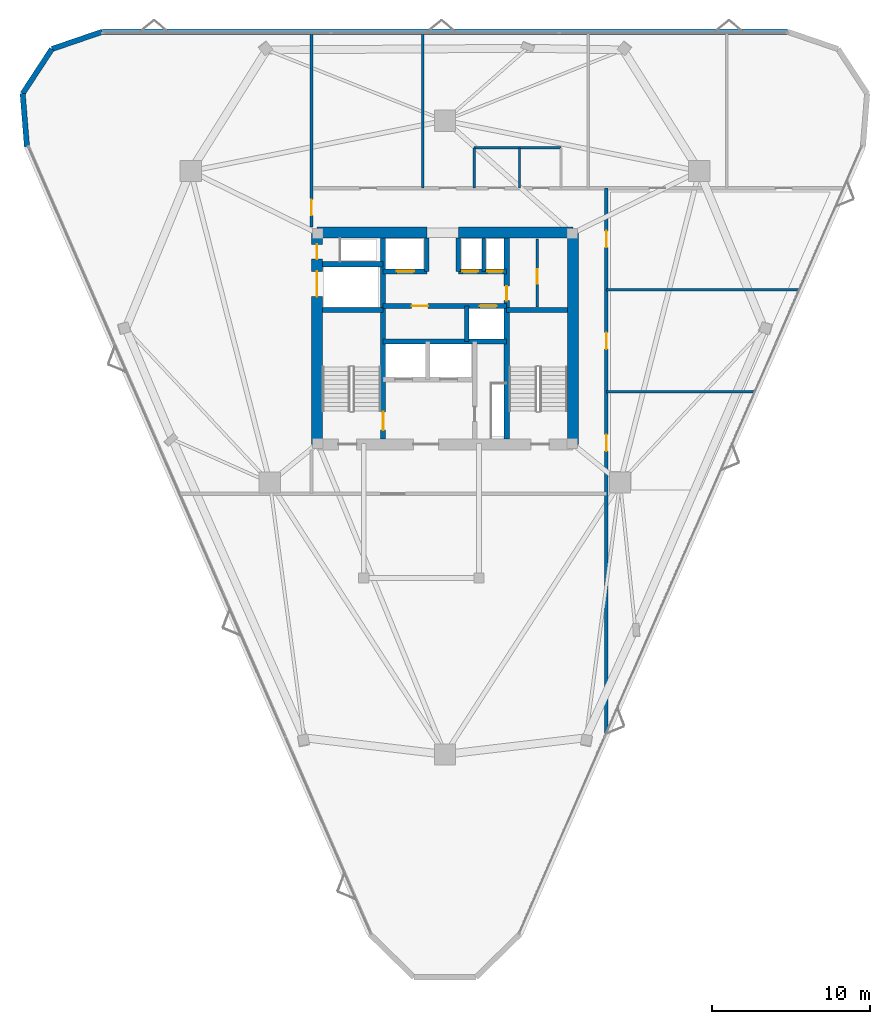
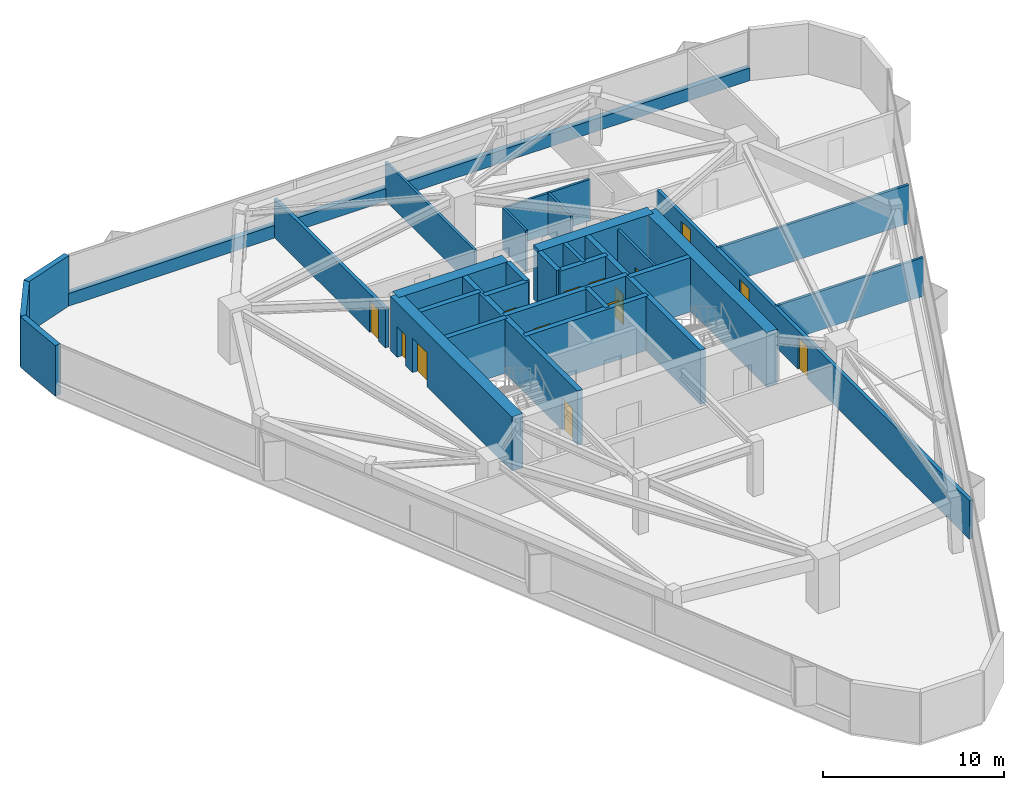
# One storey, part 10 of 12: 30 walls, 14 doors, 14 openings.
"""IFC4 building model written with IfcOpenShell, lengths in metres."""

from ifc_helpers import new_model, si_unit, direction, frame, frame_2d, origin, place, context, subcontext, project, spatial, rectangle, extrude, material, layer, layer_set, type_object, element, fill, save


model = new_model("IFC4")

# Units and contexts
model_context = context("Model", 3, precision=1e-05, world=origin(), true_north=direction((0.0, 1.0)))
body_context = subcontext(model_context, "Body", "Model", "MODEL_VIEW")
ifc_project = project(units=[si_unit("LENGTHUNIT", "METRE"), si_unit("AREAUNIT", "SQUARE_METRE"), si_unit("VOLUMEUNIT", "CUBIC_METRE"), si_unit("PLANEANGLEUNIT", "RADIAN"), si_unit("MASSUNIT", "GRAM", prefix="KILO")], contexts=[model_context])

# Site, building, storey
site_placement = place(None, origin())
site = spatial("IfcSite", under=ifc_project, at=site_placement, CompositionType="ELEMENT")
building_placement = place(site_placement, origin())
building = spatial("IfcBuilding", under=site, at=building_placement, Name="Talyreon Biosciences Tower", CompositionType="ELEMENT")
storey_placement = place(building_placement, frame((0.0, 0.0, 179.39990234375)))
storey = spatial("IfcBuildingStorey", under=building, at=storey_placement, Name="L47", CompositionType="ELEMENT", Elevation=179.39990234375)

# Walls
ifc_material_1 = material(Name="Concrete C50/60", Category="concrete")
ifc_layer_1 = layer(ifc_material_1, 0.219970703125)
ifc_layer_set_1 = layer_set([ifc_layer_1], Name="Concrete C50/60")
wall_type_1 = type_object("IfcWallType", Name="CoreShearWall_220", PredefinedType="SHEAR", material=ifc_layer_set_1)
wall_1_placement = place(storey_placement, frame((68.4599609375, 72.25, 0.0), z_axis=(0.0, 0.0, 1.0), x_axis=(0.0, 1.0, 0.0)))
element("IfcWall", 1, at=wall_1_placement, inside=storey, type_object=wall_type_1, Name="L47 Core Shaft Wall SWPHD", PredefinedType="SHEAR", context=body_context, shape_type="SweptSolid", body=[
    extrude(rectangle(XDim=2.10009765625, YDim=0.219970703125, at=frame_2d((1.050048828125, 0.0))), origin(), (0.0, 0.0, 1.0), 3.650146484375),
])
ifc_layer_2 = layer(ifc_material_1, 0.280029296875)
ifc_layer_set_2 = layer_set([ifc_layer_2], Name="Concrete C50/60")
wall_type_2 = type_object("IfcWallType", Name="CoreShearWall_280", PredefinedType="SHEAR", material=ifc_layer_set_2)
for number, where, z_axis, x_axis, name in (
    (2, (64.85009765625, 72.25, 0.0), (0.0, 0.0, 1.0), (0.0, 1.0, 0.0), "L47 Core Shaft Wall SWTHW"),
    (3, (66.85009765625, 72.25, 0.0), (0.0, 0.0, 1.0), (0.0, 1.0, 0.0), "L47 Core Shaft Wall SWTHE"),
):
    element("IfcWall", number, at=place(storey_placement, frame(where, z_axis=z_axis, x_axis=x_axis)), inside=storey, type_object=wall_type_2, Name=name, PredefinedType="SHEAR", context=body_context, shape_type="SweptSolid", body=[
        extrude(rectangle(XDim=2.10009765625, YDim=0.280029296875, at=frame_2d((1.050048828125, 0.0))), origin(), (0.0, 0.0, 1.0), 3.650146484375),
    ])
wall_2_placement = place(storey_placement, frame((67.3798828125, 67.800048828125, 0.0), z_axis=(0.0, 0.0, 1.0), x_axis=(0.0, 1.0, 0.0)))
element("IfcWall", 4, at=wall_2_placement, inside=storey, type_object=wall_type_2, Name="L47 Core Shaft Wall SWPMD", PredefinedType="SHEAR", context=body_context, shape_type="SweptSolid", body=[
    extrude(rectangle(XDim=2.25, YDim=0.280029296875, at=frame_2d((1.125, 0.0))), origin(), (0.0, 0.0, 1.0), 3.650146484375),
])

# Wall, opening, door
ifc_layer_3 = layer(ifc_material_1, 0.320068359375)
ifc_layer_set_3 = layer_set([ifc_layer_3], Name="Concrete C50/60")
wall_type_3 = type_object("IfcWallType", Name="CoreShearWall_320", PredefinedType="SHEAR", material=ifc_layer_set_3)
wall_3_placement = place(storey_placement, frame((62.090087890625, 61.64990234375, 0.0), z_axis=(0.0, 0.0, 1.0), x_axis=(0.0, 1.0, 0.0)))
wall_3 = element("IfcWall", 5, at=wall_3_placement, inside=storey, type_object=wall_type_3, Name="L47 Core Shaft Wall SW1E", PredefinedType="SHEAR", context=body_context, shape_type="SweptSolid", body=[
    extrude(rectangle(XDim=12.7001953125, YDim=0.320068359375, at=frame_2d((6.35009765625, 0.0))), origin(), (0.0, 0.0, 1.0), 3.650146484375),
])
opening_1_placement = place(wall_3_placement, frame((0.550048828125, 0.0, 0.0)))
opening_1 = element("IfcOpeningElement", 6, at=opening_1_placement, cuts=wall_3, Name="Opening DR-L47-FF-ST1", PredefinedType="OPENING", context=body_context, shape_type="SweptSolid", body=[
    extrude(rectangle(XDim=1.14990234375, YDim=2.14990234375, at=frame_2d((0.574951171875, 1.074951171875))), frame((0.0, 0.169921875, 0.0), z_axis=(0.0, -1.0, 0.0), x_axis=(1.0, 0.0, 0.0)), (0.0, 0.0, 1.0), 0.340087890625),
])
ifc_material_2 = material(Name="Painted steel fire door", Category="steel")
door_type_1 = type_object("IfcDoorType", Name="StairShaftFireDoor_1150x2150", OperationType="NOTDEFINED", PredefinedType="DOOR", material=ifc_material_2)
door_1_placement = place(opening_1_placement, origin())
door_1 = element("IfcDoor", 7, at=door_1_placement, inside=storey, type_object=door_type_1, Name="L47 Core Door DR-L47-FF-ST1", OperationType="SINGLE_SWING_LEFT", OverallHeight=2.14990234375, OverallWidth=1.14990234375, PredefinedType="DOOR", context=body_context, shape_type="SweptSolid", body=[
    extrude(rectangle(XDim=1.14990234375, YDim=2.14990234375, at=frame_2d((0.574951171875, 1.074951171875))), frame((0.0, 0.02490234375, 0.0), z_axis=(0.0, -1.0, 0.0), x_axis=(1.0, 0.0, 0.0)), (0.0, 0.0, 1.0), 0.050048828125),
])
fill(opening_1, door_1)

wall_4_placement = place(storey_placement, frame((69.909912109375, 61.64990234375, 0.0), z_axis=(0.0, 0.0, 1.0), x_axis=(0.0, 1.0, 0.0)))
wall_4 = element("IfcWall", 8, at=wall_4_placement, inside=storey, type_object=wall_type_3, Name="L47 Core Shaft Wall SW2W", PredefinedType="SHEAR", context=body_context, shape_type="SweptSolid", body=[
    extrude(rectangle(XDim=12.7001953125, YDim=0.320068359375, at=frame_2d((6.35009765625, 0.0))), origin(), (0.0, 0.0, 1.0), 3.650146484375),
])
opening_2_placement = place(wall_4_placement, frame((8.75, 0.0, 0.0)))
opening_2 = element("IfcOpeningElement", 9, at=opening_2_placement, cuts=wall_4, Name="Opening DR-L47-CSRV", PredefinedType="OPENING", context=body_context, shape_type="SweptSolid", body=[
    extrude(rectangle(XDim=0.919921875, YDim=2.050048828125, at=frame_2d((0.4599609375, 1.02490234375))), frame((0.0, 0.169921875, 0.0), z_axis=(0.0, -1.0, 0.0), x_axis=(1.0, 0.0, 0.0)), (0.0, 0.0, 1.0), 0.340087890625),
])
ifc_material_3 = material(Name="Painted steel fire-rated riser door", Category="steel")
door_type_2 = type_object("IfcDoorType", Name="RiserPlantAccessDoor_920x2050", OperationType="NOTDEFINED", PredefinedType="DOOR", material=ifc_material_3)
door_2_placement = place(opening_2_placement, origin())
door_2 = element("IfcDoor", 10, at=door_2_placement, inside=storey, type_object=door_type_2, Name="L47 Core Door DR-L47-CSRV", OperationType="SINGLE_SWING_RIGHT", OverallHeight=2.050048828125, OverallWidth=0.919921875, PredefinedType="DOOR", context=body_context, shape_type="SweptSolid", body=[
    extrude(rectangle(XDim=0.919921875, YDim=2.050048828125, at=frame_2d((0.4599609375, 1.02490234375))), frame((0.0, 0.02490234375, 0.0), z_axis=(0.0, -1.0, 0.0), x_axis=(1.0, 0.0, 0.0)), (0.0, 0.0, 1.0), 0.050048828125),
])
fill(opening_2, door_2)

# Walls
for number, where, z_axis, x_axis, name in (
    (11, (58.25, 69.81005859375, 0.0), (0.0, 0.0, 1.0), (1.0, 0.0, 0.0), "L47 Core Shaft Wall SW1N"),
    (12, (69.909912109375, 69.81005859375, 0.0), (0.0, 0.0, 1.0), (1.0, 0.0, 0.0), "L47 Core Shaft Wall SW2N"),
    (13, (58.25, 72.699951171875, 0.0), (0.0, 0.0, 1.0), (1.0, 0.0, 0.0), "L47 Core Shaft Wall SWGLN"),
):
    element("IfcWall", number, at=place(storey_placement, frame(where, z_axis=z_axis, x_axis=x_axis)), inside=storey, type_object=wall_type_3, Name=name, PredefinedType="SHEAR", context=body_context, shape_type="SweptSolid", body=[
        extrude(rectangle(XDim=3.840087890625, YDim=0.320068359375, at=frame_2d((1.919921875, 0.0))), origin(), (0.0, 0.0, 1.0), 3.650146484375),
    ])
wall_5_placement = place(storey_placement, frame((62.090087890625, 67.800048828125, 0.0), z_axis=(0.0, 0.0, 1.0), x_axis=(1.0, 0.0, 0.0)))
element("IfcWall", 14, at=wall_5_placement, inside=storey, type_object=wall_type_3, Name="L47 Core Shaft Wall SWSHM", PredefinedType="SHEAR", context=body_context, shape_type="SweptSolid", body=[
    extrude(rectangle(XDim=7.81982421875, YDim=0.320068359375, at=frame_2d((3.909912109375, 0.0))), origin(), (0.0, 0.0, 1.0), 3.650146484375),
])

# Wall, openings, doors
wall_6_placement = place(storey_placement, frame((62.090087890625, 70.050048828125, 0.0), z_axis=(0.0, 0.0, 1.0), x_axis=(1.0, 0.0, 0.0)))
wall_6 = element("IfcWall", 15, at=wall_6_placement, inside=storey, type_object=wall_type_3, Name="L47 Core Shaft Wall SWSPN", PredefinedType="SHEAR", context=body_context, shape_type="SweptSolid", body=[
    extrude(rectangle(XDim=7.81982421875, YDim=0.320068359375, at=frame_2d((3.909912109375, 0.0))), origin(), (0.0, 0.0, 1.0), 3.650146484375),
])
opening_3_placement = place(wall_6_placement, frame((1.800048828125, 0.0, 0.0)))
opening_3 = element("IfcOpeningElement", 16, at=opening_3_placement, cuts=wall_6, Name="Opening DR-L47-PLFREE-A", PredefinedType="OPENING", context=body_context, shape_type="SweptSolid", body=[
    extrude(rectangle(XDim=1.050048828125, YDim=2.14990234375, at=frame_2d((0.52490234375, 1.074951171875))), frame((0.0, 0.169921875, 0.0), z_axis=(0.0, -1.0, 0.0), x_axis=(1.0, 0.0, 0.0)), (0.0, 0.0, 1.0), 0.340087890625),
])
opening_4_placement = place(wall_6_placement, frame((6.10009765625, 0.0, 0.0)))
opening_4 = element("IfcOpeningElement", 17, at=opening_4_placement, cuts=wall_6, Name="Opening LD-L47-PM1", PredefinedType="OPENING", context=body_context, shape_type="SweptSolid", body=[
    extrude(rectangle(XDim=1.10009765625, YDim=2.199951171875, at=frame_2d((0.550048828125, 1.10009765625))), frame((0.0, 0.169921875, 0.0), z_axis=(0.0, -1.0, 0.0), x_axis=(1.0, 0.0, 0.0)), (0.0, 0.0, 1.0), 0.340087890625),
])
ifc_material_4 = material(Name="Acoustic timber-core laboratory door", Category="wood")
door_type_3 = type_object("IfcDoorType", Name="DryLabSingleDoor_1050x2150", OperationType="NOTDEFINED", PredefinedType="DOOR", material=ifc_material_4)
door_3_placement = place(opening_3_placement, origin())
door_3 = element("IfcDoor", 18, at=door_3_placement, inside=storey, type_object=door_type_3, Name="L47 Core Door DR-L47-PLFREE-A", OperationType="SINGLE_SWING_LEFT", OverallHeight=2.14990234375, OverallWidth=1.050048828125, PredefinedType="DOOR", context=body_context, shape_type="SweptSolid", body=[
    extrude(rectangle(XDim=1.050048828125, YDim=2.14990234375, at=frame_2d((0.52490234375, 1.074951171875))), frame((0.0, 0.02490234375, 0.0), z_axis=(0.0, -1.0, 0.0), x_axis=(1.0, 0.0, 0.0)), (0.0, 0.0, 1.0), 0.050048828125),
])
fill(opening_3, door_3)
ifc_material_5 = material(Name="Brushed stainless-steel lift landing door", Category="steel")
door_type_4 = type_object("IfcDoorType", Name="LiftSlidingLandingDoor_1100x2200", OperationType="SLIDING_TO_LEFT", PredefinedType="DOOR", material=ifc_material_5)
door_4_placement = place(opening_4_placement, origin())
door_4 = element("IfcDoor", 19, at=door_4_placement, inside=storey, type_object=door_type_4, Name="L47 Core Door LD-L47-PM1", OperationType="SLIDING_TO_LEFT", OverallHeight=2.199951171875, OverallWidth=1.10009765625, PredefinedType="DOOR", context=body_context, shape_type="SweptSolid", body=[
    extrude(rectangle(XDim=1.10009765625, YDim=2.199951171875, at=frame_2d((0.550048828125, 1.10009765625))), frame((0.0, 0.02490234375, 0.0), z_axis=(0.0, -1.0, 0.0), x_axis=(1.0, 0.0, 0.0)), (0.0, 0.0, 1.0), 0.050048828125),
])
fill(opening_4, door_4)

# Wall, opening, door
wall_7_placement = place(storey_placement, frame((62.090087890625, 72.25, 0.0), z_axis=(0.0, 0.0, 1.0), x_axis=(1.0, 0.0, 0.0)))
wall_7 = element("IfcWall", 20, at=wall_7_placement, inside=storey, type_object=wall_type_3, Name="L47 Core Shaft Wall SWNPW", PredefinedType="SHEAR", context=body_context, shape_type="SweptSolid", body=[
    extrude(rectangle(XDim=2.760009765625, YDim=0.320068359375, at=frame_2d((1.3798828125, 0.0))), origin(), (0.0, 0.0, 1.0), 3.650146484375),
])
opening_5_placement = place(wall_7_placement, frame((0.85009765625, 0.0, 0.0)))
opening_5 = element("IfcOpeningElement", 21, at=opening_5_placement, cuts=wall_7, Name="Opening LD-L47-PM2", PredefinedType="OPENING", context=body_context, shape_type="SweptSolid", body=[
    extrude(rectangle(XDim=1.10009765625, YDim=2.199951171875, at=frame_2d((0.550048828125, 1.10009765625))), frame((0.0, 0.169921875, 0.0), z_axis=(0.0, -1.0, 0.0), x_axis=(1.0, 0.0, 0.0)), (0.0, 0.0, 1.0), 0.340087890625),
])
door_5_placement = place(opening_5_placement, origin())
door_5 = element("IfcDoor", 22, at=door_5_placement, inside=storey, type_object=door_type_4, Name="L47 Core Door LD-L47-PM2", OperationType="SLIDING_TO_LEFT", OverallHeight=2.199951171875, OverallWidth=1.10009765625, PredefinedType="DOOR", context=body_context, shape_type="SweptSolid", body=[
    extrude(rectangle(XDim=1.10009765625, YDim=2.199951171875, at=frame_2d((0.550048828125, 1.10009765625))), frame((0.0, 0.02490234375, 0.0), z_axis=(0.0, -1.0, 0.0), x_axis=(1.0, 0.0, 0.0)), (0.0, 0.0, 1.0), 0.050048828125),
])
fill(opening_5, door_5)

# Wall, openings, doors
wall_8_placement = place(storey_placement, frame((66.85009765625, 72.25, 0.0), z_axis=(0.0, 0.0, 1.0), x_axis=(1.0, 0.0, 0.0)))
wall_8 = element("IfcWall", 23, at=wall_8_placement, inside=storey, type_object=wall_type_3, Name="L47 Core Shaft Wall SWNPE", PredefinedType="SHEAR", context=body_context, shape_type="SweptSolid", body=[
    extrude(rectangle(XDim=3.059814453125, YDim=0.320068359375, at=frame_2d((1.52978515625, 0.0))), origin(), (0.0, 0.0, 1.0), 3.650146484375),
])
opening_6_placement = place(wall_8_placement, frame((0.25, 0.0, 0.0)))
opening_6 = element("IfcOpeningElement", 24, at=opening_6_placement, cuts=wall_8, Name="Opening LD-L47-PH1", PredefinedType="OPENING", context=body_context, shape_type="SweptSolid", body=[
    extrude(rectangle(XDim=1.0, YDim=2.199951171875, at=frame_2d((0.5, 1.10009765625))), frame((0.0, 0.169921875, 0.0), z_axis=(0.0, -1.0, 0.0), x_axis=(1.0, 0.0, 0.0)), (0.0, 0.0, 1.0), 0.340087890625),
])
opening_7_placement = place(wall_8_placement, frame((1.820068359375, 0.0, 0.0)))
opening_7 = element("IfcOpeningElement", 25, at=opening_7_placement, cuts=wall_8, Name="Opening LD-L47-PH2", PredefinedType="OPENING", context=body_context, shape_type="SweptSolid", body=[
    extrude(rectangle(XDim=1.0, YDim=2.199951171875, at=frame_2d((0.5, 1.10009765625))), frame((0.0, 0.169921875, 0.0), z_axis=(0.0, -1.0, 0.0), x_axis=(1.0, 0.0, 0.0)), (0.0, 0.0, 1.0), 0.340087890625),
])
door_6_placement = place(opening_6_placement, origin())
door_6 = element("IfcDoor", 26, at=door_6_placement, inside=storey, type_object=door_type_4, Name="L47 Core Door LD-L47-PH1", OperationType="SLIDING_TO_LEFT", OverallHeight=2.199951171875, OverallWidth=1.0, PredefinedType="DOOR", context=body_context, shape_type="SweptSolid", body=[
    extrude(rectangle(XDim=1.0, YDim=2.199951171875, at=frame_2d((0.5, 1.10009765625))), frame((0.0, 0.02490234375, 0.0), z_axis=(0.0, -1.0, 0.0), x_axis=(1.0, 0.0, 0.0)), (0.0, 0.0, 1.0), 0.050048828125),
])
fill(opening_6, door_6)
door_7_placement = place(opening_7_placement, origin())
door_7 = element("IfcDoor", 27, at=door_7_placement, inside=storey, type_object=door_type_4, Name="L47 Core Door LD-L47-PH2", OperationType="SLIDING_TO_LEFT", OverallHeight=2.199951171875, OverallWidth=1.0, PredefinedType="DOOR", context=body_context, shape_type="SweptSolid", body=[
    extrude(rectangle(XDim=1.0, YDim=2.199951171875, at=frame_2d((0.5, 1.10009765625))), frame((0.0, 0.02490234375, 0.0), z_axis=(0.0, -1.0, 0.0), x_axis=(1.0, 0.0, 0.0)), (0.0, 0.0, 1.0), 0.050048828125),
])
fill(opening_7, door_7)

# Walls
ifc_layer_4 = layer(ifc_material_1, 0.699951171875)
ifc_layer_set_4 = layer_set([ifc_layer_4], Name="Concrete C50/60")
wall_type_4 = type_object("IfcWallType", Name="CoreShearWall_700", PredefinedType="SHEAR", material=ifc_layer_set_4)
wall_9_placement = place(storey_placement, frame((74.10009765625, 61.300048828125, 0.0), z_axis=(0.0, 0.0, 1.0), x_axis=(0.0, 1.0, 0.0)))
element("IfcWall", 28, at=wall_9_placement, inside=storey, type_object=wall_type_4, Name="L47 Core Shear Wall E", PredefinedType="SHEAR", context=body_context, shape_type="SweptSolid", body=[
    extrude(rectangle(XDim=13.39990234375, YDim=0.699951171875, at=frame_2d((6.699951171875, 0.0))), origin(), (0.0, 0.0, 1.0), 3.650146484375),
])
wall_10_placement = place(storey_placement, frame((74.10009765625, 74.699951171875, 0.0), z_axis=(0.0, 0.0, 1.0), x_axis=(-1.0, 0.0, 0.0)))
element("IfcWall", 29, at=wall_10_placement, inside=storey, type_object=wall_type_4, Name="L47 Core Shear Wall NE", PredefinedType="SHEAR", context=body_context, shape_type="SweptSolid", body=[
    extrude(rectangle(XDim=7.25, YDim=0.699951171875, at=frame_2d((3.625, 0.0))), origin(), (0.0, 0.0, 1.0), 3.650146484375),
])
wall_11_placement = place(storey_placement, frame((64.85009765625, 74.699951171875, 0.0), z_axis=(0.0, 0.0, 1.0), x_axis=(-1.0, 0.0, 0.0)))
element("IfcWall", 30, at=wall_11_placement, inside=storey, type_object=wall_type_4, Name="L47 Core Shear Wall NW", PredefinedType="SHEAR", context=body_context, shape_type="SweptSolid", body=[
    extrude(rectangle(XDim=6.9501953125, YDim=0.699951171875, at=frame_2d((3.47509765625, 0.0))), origin(), (0.0, 0.0, 1.0), 3.650146484375),
])

# Wall, openings, doors
wall_12_placement = place(storey_placement, frame((57.89990234375, 74.699951171875, 0.0), z_axis=(0.0, 0.0, 1.0), x_axis=(0.0, -1.0, 0.0)))
wall_12 = element("IfcWall", 31, at=wall_12_placement, inside=storey, type_object=wall_type_4, Name="L47 Core Shear Wall W", PredefinedType="SHEAR", context=body_context, shape_type="SweptSolid", body=[
    extrude(rectangle(XDim=13.39990234375, YDim=0.699951171875, at=frame_2d((6.699951171875, 0.0))), origin(), (0.0, 0.0, 1.0), 3.650146484375),
])
opening_8_placement = place(wall_12_placement, frame((0.75, 0.0, 0.0)))
opening_8 = element("IfcOpeningElement", 32, at=opening_8_placement, cuts=wall_12, Name="Opening DR-L47-RSW", PredefinedType="OPENING", context=body_context, shape_type="SweptSolid", body=[
    extrude(rectangle(XDim=0.919921875, YDim=2.050048828125, at=frame_2d((0.4599609375, 1.02490234375))), frame((0.0, 0.35986328125, 0.0), z_axis=(0.0, -1.0, 0.0), x_axis=(1.0, 0.0, 0.0)), (0.0, 0.0, 1.0), 0.719970703125),
])
opening_9_placement = place(wall_12_placement, frame((2.449951171875, 0.0, 0.0)))
opening_9 = element("IfcOpeningElement", 33, at=opening_9_placement, cuts=wall_12, Name="Opening LD-L47-GL1", PredefinedType="OPENING", context=body_context, shape_type="SweptSolid", body=[
    extrude(rectangle(XDim=1.60009765625, YDim=2.300048828125, at=frame_2d((0.800048828125, 1.14990234375))), frame((0.0, 0.35986328125, 0.0), z_axis=(0.0, -1.0, 0.0), x_axis=(1.0, 0.0, 0.0)), (0.0, 0.0, 1.0), 0.719970703125),
])
ifc_material_6 = material(Name="Heavy-duty stainless-steel goods lift door", Category="steel")
door_type_5 = type_object("IfcDoorType", Name="GoodsLiftSlidingDoor_1600x2300", OperationType="DOUBLE_DOOR_SLIDING", PredefinedType="DOOR", material=ifc_material_6)
door_8_placement = place(opening_9_placement, origin())
door_8 = element("IfcDoor", 34, at=door_8_placement, inside=storey, type_object=door_type_5, Name="L47 Core Door LD-L47-GL1", OperationType="DOUBLE_DOOR_SLIDING", OverallHeight=2.300048828125, OverallWidth=1.60009765625, PredefinedType="DOOR", context=body_context, shape_type="SweptSolid", body=[
    extrude(rectangle(XDim=1.60009765625, YDim=2.300048828125, at=frame_2d((0.800048828125, 1.14990234375))), frame((0.0, 0.02490234375, 0.0), z_axis=(0.0, -1.0, 0.0), x_axis=(1.0, 0.0, 0.0)), (0.0, 0.0, 1.0), 0.050048828125),
])
fill(opening_9, door_8)
door_9_placement = place(opening_8_placement, origin())
door_9 = element("IfcDoor", 35, at=door_9_placement, inside=storey, type_object=door_type_2, Name="L47 Core Door DR-L47-RSW", OperationType="SINGLE_SWING_LEFT", OverallHeight=2.050048828125, OverallWidth=0.919921875, PredefinedType="DOOR", context=body_context, shape_type="SweptSolid", body=[
    extrude(rectangle(XDim=0.919921875, YDim=2.050048828125, at=frame_2d((0.4599609375, 1.02490234375))), frame((0.0, 0.02490234375, 0.0), z_axis=(0.0, -1.0, 0.0), x_axis=(1.0, 0.0, 0.0)), (0.0, 0.0, 1.0), 0.050048828125),
])
fill(opening_8, door_9)

# Wall, opening, door
ifc_material_7 = material(Name="Gypsum fireboard acoustic stud", Category="gypsum")
ifc_layer_5 = layer(ifc_material_7, 0.219970703125)
ifc_layer_set_5 = layer_set([ifc_layer_5], Name="Gypsum fireboard acoustic stud")
wall_type_5 = type_object("IfcWallType", Name="CorridorRatedPartition_220", PredefinedType="PARTITIONING", material=ifc_layer_set_5)
wall_13_placement = place(storey_placement, frame((57.550048828125, 75.050048828125, 0.0), z_axis=(0.0, 0.0, 1.0), x_axis=(0.0, 1.0, 0.0)))
wall_13 = element("IfcWall", 36, at=wall_13_placement, inside=storey, type_object=wall_type_5, Name="L47 Interior Wall IW-L47-WCAP-N", PredefinedType="PARTITIONING", context=body_context, shape_type="SweptSolid", body=[
    extrude(rectangle(XDim=12.283935546875, YDim=0.219970703125, at=frame_2d((6.14208984375, 0.0))), origin(), (0.0, 0.0, 1.0), 2.60009765625),
])
opening_10_placement = place(wall_13_placement, frame((0.735107421875, 0.0, 0.0)))
opening_10 = element("IfcOpeningElement", 37, at=opening_10_placement, cuts=wall_13, Name="Opening DR-L47-W1A", PredefinedType="OPENING", context=body_context, shape_type="SweptSolid", body=[
    extrude(rectangle(XDim=1.0, YDim=2.10009765625, at=frame_2d((0.5, 1.050048828125))), frame((0.0, 0.119873046875, 0.0), z_axis=(0.0, -1.0, 0.0), x_axis=(1.0, 0.0, 0.0)), (0.0, 0.0, 1.0), 0.239990234375),
])
ifc_material_8 = material(Name="Acoustic oak veneer office door", Category="wood")
door_type_6 = type_object("IfcDoorType", Name="WriteupOfficeDoor_1000x2100", OperationType="NOTDEFINED", PredefinedType="DOOR", material=ifc_material_8)
door_10_placement = place(opening_10_placement, origin())
door_10 = element("IfcDoor", 38, at=door_10_placement, inside=storey, type_object=door_type_6, Name="L47 Interior Door DR-L47-W1A", OperationType="SINGLE_SWING_RIGHT", OverallHeight=2.10009765625, OverallWidth=1.0, PredefinedType="DOOR", context=body_context, shape_type="SweptSolid", body=[
    extrude(rectangle(XDim=1.0, YDim=2.10009765625, at=frame_2d((0.5, 1.050048828125))), frame((0.0, 0.02490234375, 0.0), z_axis=(0.0, -1.0, 0.0), x_axis=(1.0, 0.0, 0.0)), (0.0, 0.0, 1.0), 0.050048828125),
])
fill(opening_10, door_10)

# Wall, openings, doors
wall_14_placement = place(storey_placement, frame((76.219970703125, 43.03564453125, 0.0), z_axis=(0.0, 0.0, 1.0), x_axis=(0.0, 1.0, 0.0)))
wall_14 = element("IfcWall", 39, at=wall_14_placement, inside=storey, type_object=wall_type_5, Name="L47 Interior Wall IW-L47-COR-E", PredefinedType="PARTITIONING", context=body_context, shape_type="SweptSolid", body=[
    extrude(rectangle(XDim=34.484375, YDim=0.219970703125, at=frame_2d((17.2421875, 0.0))), origin(), (0.0, 0.0, 1.0), 2.60009765625),
])
opening_11_placement = place(wall_14_placement, frame((17.833984375, 0.0, 0.0)))
opening_11 = element("IfcOpeningElement", 40, at=opening_11_placement, cuts=wall_14, Name="Opening DR-L47-E1A", PredefinedType="OPENING", context=body_context, shape_type="SweptSolid", body=[
    extrude(rectangle(XDim=1.050048828125, YDim=2.14990234375, at=frame_2d((0.52490234375, 1.074951171875))), frame((0.0, 0.119873046875, 0.0), z_axis=(0.0, -1.0, 0.0), x_axis=(1.0, 0.0, 0.0)), (0.0, 0.0, 1.0), 0.239990234375),
])
opening_12_placement = place(wall_14_placement, frame((24.283935546875, 0.0, 0.0)))
opening_12 = element("IfcOpeningElement", 41, at=opening_12_placement, cuts=wall_14, Name="Opening DR-L47-E2A", PredefinedType="OPENING", context=body_context, shape_type="SweptSolid", body=[
    extrude(rectangle(XDim=1.050048828125, YDim=2.14990234375, at=frame_2d((0.52490234375, 1.074951171875))), frame((0.0, 0.119873046875, 0.0), z_axis=(0.0, -1.0, 0.0), x_axis=(1.0, 0.0, 0.0)), (0.0, 0.0, 1.0), 0.239990234375),
])
opening_13_placement = place(wall_14_placement, frame((30.73388671875, 0.0, 0.0)))
opening_13 = element("IfcOpeningElement", 42, at=opening_13_placement, cuts=wall_14, Name="Opening DR-L47-E3A", PredefinedType="OPENING", context=body_context, shape_type="SweptSolid", body=[
    extrude(rectangle(XDim=1.050048828125, YDim=2.14990234375, at=frame_2d((0.52490234375, 1.074951171875))), frame((0.0, 0.119873046875, 0.0), z_axis=(0.0, -1.0, 0.0), x_axis=(1.0, 0.0, 0.0)), (0.0, 0.0, 1.0), 0.239990234375),
])
door_11_placement = place(opening_11_placement, origin())
door_11 = element("IfcDoor", 43, at=door_11_placement, inside=storey, type_object=door_type_3, Name="L47 Interior Door DR-L47-E1A", OperationType="SINGLE_SWING_LEFT", OverallHeight=2.14990234375, OverallWidth=1.050048828125, PredefinedType="DOOR", context=body_context, shape_type="SweptSolid", body=[
    extrude(rectangle(XDim=1.050048828125, YDim=2.14990234375, at=frame_2d((0.52490234375, 1.074951171875))), frame((0.0, 0.02490234375, 0.0), z_axis=(0.0, -1.0, 0.0), x_axis=(1.0, 0.0, 0.0)), (0.0, 0.0, 1.0), 0.050048828125),
])
fill(opening_11, door_11)
door_12_placement = place(opening_12_placement, origin())
door_12 = element("IfcDoor", 44, at=door_12_placement, inside=storey, type_object=door_type_3, Name="L47 Interior Door DR-L47-E2A", OperationType="SINGLE_SWING_RIGHT", OverallHeight=2.14990234375, OverallWidth=1.050048828125, PredefinedType="DOOR", context=body_context, shape_type="SweptSolid", body=[
    extrude(rectangle(XDim=1.050048828125, YDim=2.14990234375, at=frame_2d((0.52490234375, 1.074951171875))), frame((0.0, 0.02490234375, 0.0), z_axis=(0.0, -1.0, 0.0), x_axis=(1.0, 0.0, 0.0)), (0.0, 0.0, 1.0), 0.050048828125),
])
fill(opening_12, door_12)
door_13_placement = place(opening_13_placement, origin())
door_13 = element("IfcDoor", 45, at=door_13_placement, inside=storey, type_object=door_type_3, Name="L47 Interior Door DR-L47-E3A", OperationType="SINGLE_SWING_LEFT", OverallHeight=2.14990234375, OverallWidth=1.050048828125, PredefinedType="DOOR", context=body_context, shape_type="SweptSolid", body=[
    extrude(rectangle(XDim=1.050048828125, YDim=2.14990234375, at=frame_2d((0.52490234375, 1.074951171875))), frame((0.0, 0.02490234375, 0.0), z_axis=(0.0, -1.0, 0.0), x_axis=(1.0, 0.0, 0.0)), (0.0, 0.0, 1.0), 0.050048828125),
])
fill(opening_13, door_13)

# Wall, opening, door
ifc_material_9 = material(Name="Gypsum acoustic stud partition", Category="gypsum")
ifc_layer_6 = layer(ifc_material_9, 0.159912109375)
ifc_layer_set_6 = layer_set([ifc_layer_6], Name="Gypsum acoustic stud partition")
wall_type_6 = type_object("IfcWallType", Name="LabSeparationPartition_160", PredefinedType="PARTITIONING", material=ifc_layer_set_6)
wall_15_placement = place(storey_placement, frame((71.85009765625, 70.0, 0.0), z_axis=(0.0, 0.0, 1.0), x_axis=(0.0, 1.0, 0.0)))
wall_15 = element("IfcWall", 46, at=wall_15_placement, inside=storey, type_object=wall_type_6, Name="L47 Interior Wall IW-L47-CSRV-V", PredefinedType="PARTITIONING", context=body_context, shape_type="SweptSolid", body=[
    extrude(rectangle(XDim=4.300048828125, YDim=0.159912109375, at=frame_2d((2.14990234375, 0.0))), origin(), (0.0, 0.0, 1.0), 3.400146484375),
])
opening_14_placement = place(wall_15_placement, frame((1.449951171875, 0.0, 0.0)))
opening_14 = element("IfcOpeningElement", 47, at=opening_14_placement, cuts=wall_15, Name="Opening DR-L47-CSRV-I", PredefinedType="OPENING", context=body_context, shape_type="SweptSolid", body=[
    extrude(rectangle(XDim=0.919921875, YDim=2.050048828125, at=frame_2d((0.4599609375, 1.02490234375))), frame((0.0, 0.08984375, 0.0), z_axis=(0.0, -1.0, 0.0), x_axis=(1.0, 0.0, 0.0)), (0.0, 0.0, 1.0), 0.179931640625),
])
door_14_placement = place(opening_14_placement, origin())
door_14 = element("IfcDoor", 48, at=door_14_placement, inside=storey, type_object=door_type_2, Name="L47 Interior Door DR-L47-CSRV-I", OperationType="SINGLE_SWING_RIGHT", OverallHeight=2.050048828125, OverallWidth=0.919921875, PredefinedType="DOOR", context=body_context, shape_type="SweptSolid", body=[
    extrude(rectangle(XDim=0.919921875, YDim=2.050048828125, at=frame_2d((0.4599609375, 1.02490234375))), frame((0.0, 0.02490234375, 0.0), z_axis=(0.0, -1.0, 0.0), x_axis=(1.0, 0.0, 0.0)), (0.0, 0.0, 1.0), 0.050048828125),
])
fill(opening_14, door_14)

# Walls
wall_16_placement = place(storey_placement, frame((64.60009765625, 77.52001953125, 0.0), z_axis=(0.0, 0.0, 1.0), x_axis=(0.0, 1.0, 0.0)))
element("IfcWall", 49, at=wall_16_placement, inside=storey, type_object=wall_type_6, Name="L47 Interior Wall IW-L47-NDIV1", PredefinedType="PARTITIONING", context=body_context, shape_type="SweptSolid", body=[
    extrude(rectangle(XDim=9.81396484375, YDim=0.159912109375, at=frame_2d((4.906982421875, 0.0))), origin(), (0.0, 0.0, 1.0), 2.60009765625),
])
wall_17_placement = place(storey_placement, frame((76.219970703125, 64.6201171875, 0.0), z_axis=(0.0, 0.0, 1.0), x_axis=(1.0, 0.0, 0.0)))
element("IfcWall", 50, at=wall_17_placement, inside=storey, type_object=wall_type_6, Name="L47 Interior Wall IW-L47-EDIV1", PredefinedType="PARTITIONING", context=body_context, shape_type="SweptSolid", body=[
    extrude(rectangle(XDim=9.394775390625, YDim=0.159912109375, at=frame_2d((4.697265625, 0.0))), origin(), (0.0, 0.0, 1.0), 2.60009765625),
])
wall_18_placement = place(storey_placement, frame((76.219970703125, 71.070068359375, 0.0), z_axis=(0.0, 0.0, 1.0), x_axis=(1.0, 0.0, 0.0)))
element("IfcWall", 51, at=wall_18_placement, inside=storey, type_object=wall_type_6, Name="L47 Interior Wall IW-L47-EDIV2", PredefinedType="PARTITIONING", context=body_context, shape_type="SweptSolid", body=[
    extrude(rectangle(XDim=12.2021484375, YDim=0.159912109375, at=frame_2d((6.10107421875, 0.0))), origin(), (0.0, 0.0, 1.0), 2.60009765625),
])
ifc_material_10 = material(Name="Precast concrete C45/55", Category="concrete")
ifc_layer_7 = layer(ifc_material_10, 0.340087890625)
ifc_layer_set_7 = layer_set([ifc_layer_7], Name="Precast concrete C45/55")
wall_type_7 = type_object("IfcWallType", Name="PrecastConcreteSpandrelWall_340", PredefinedType="STANDARD", material=ifc_layer_set_7)
for number, where, z_axis, x_axis, name in (
    (52, (39.535888671875, 80.1435546875, 0.0), (0.0, 0.0, 1.0), (-0.080217124827, 0.996777413912, 0.0), "L47 Rounded-Corner Concrete Pier 01"),
    (53, (39.265380859375, 83.5048828125, 0.0), (0.0, 0.0, 1.0), (0.548117081497, 0.83640161703, 0.0), "L47 Rounded-Corner Concrete Pier 02"),
):
    element("IfcWall", number, at=place(storey_placement, frame(where, z_axis=z_axis, x_axis=x_axis)), inside=storey, type_object=wall_type_7, Name=name, PredefinedType="STANDARD", context=body_context, shape_type="SweptSolid", body=[
        extrude(rectangle(XDim=3.372314453125, YDim=0.340087890625, at=frame_2d((1.68603515625, 0.0))), origin(), (0.0, 0.0, 1.0), 3.400146484375),
    ])
wall_19_placement = place(storey_placement, frame((41.11376953125, 86.325439453125, 0.0), z_axis=(0.0, 0.0, 1.0), x_axis=(0.945963079191, 0.324274348056, 0.0)))
element("IfcWall", 54, at=wall_19_placement, inside=storey, type_object=wall_type_7, Name="L47 Rounded-Corner Concrete Pier 03", PredefinedType="STANDARD", context=body_context, shape_type="SweptSolid", body=[
    extrude(rectangle(XDim=3.3720703125, YDim=0.340087890625, at=frame_2d((1.68603515625, 0.0))), origin(), (0.0, 0.0, 1.0), 3.400146484375),
])
wall_20_placement = place(storey_placement, frame((44.3037109375, 87.4189453125, 0.0), z_axis=(0.0, 0.0, 1.0), x_axis=(1.0, 0.0, 0.0)))
element("IfcWall", 55, at=wall_20_placement, inside=storey, type_object=wall_type_7, Name="L47 Expressed Concrete Sill Wall 04", PredefinedType="STANDARD", context=body_context, shape_type="SweptSolid", body=[
    extrude(rectangle(XDim=43.392578125, YDim=0.340087890625, at=frame_2d((21.6962890625, 0.0))), origin(), (0.0, 0.0, 1.0), 0.85009765625),
])
ifc_material_11 = material(Name="Moisture-resistant cement-board stud", Category="gypsum")
ifc_layer_8 = layer(ifc_material_11, 0.14501953125)
ifc_layer_set_8 = layer_set([ifc_layer_8], Name="Moisture-resistant cement-board stud")
wall_type_8 = type_object("IfcWallType", Name="WetRoomPartition_145", PredefinedType="PARTITIONING", material=ifc_layer_set_8)
for number, where, z_axis, x_axis, name in (
    (56, (67.85009765625, 77.52001953125, 0.0), (0.0, 0.0, 1.0), (0.0, 1.0, 0.0), "L47 Interior Wall IW-L47-WCL"),
    (57, (70.72509765625, 77.52001953125, 0.0), (0.0, 0.0, 1.0), (0.0, 1.0, 0.0), "L47 Interior Wall IW-L47-WCM"),
):
    element("IfcWall", number, at=place(storey_placement, frame(where, z_axis=z_axis, x_axis=x_axis)), inside=storey, type_object=wall_type_8, Name=name, PredefinedType="PARTITIONING", context=body_context, shape_type="SweptSolid", body=[
        extrude(rectangle(XDim=2.550048828125, YDim=0.14501953125, at=frame_2d((1.27490234375, 0.0))), origin(), (0.0, 0.0, 1.0), 2.780029296875),
    ])
wall_21_placement = place(storey_placement, frame((67.85009765625, 80.070068359375, 0.0), z_axis=(0.0, 0.0, 1.0), x_axis=(1.0, 0.0, 0.0)))
element("IfcWall", 58, at=wall_21_placement, inside=storey, type_object=wall_type_8, Name="L47 Interior Wall IW-L47-WCT", PredefinedType="PARTITIONING", context=body_context, shape_type="SweptSolid", body=[
    extrude(rectangle(XDim=5.5, YDim=0.14501953125, at=frame_2d((2.75, 0.0))), origin(), (0.0, 0.0, 1.0), 2.780029296875),
])

save(model, "model.ifc")
